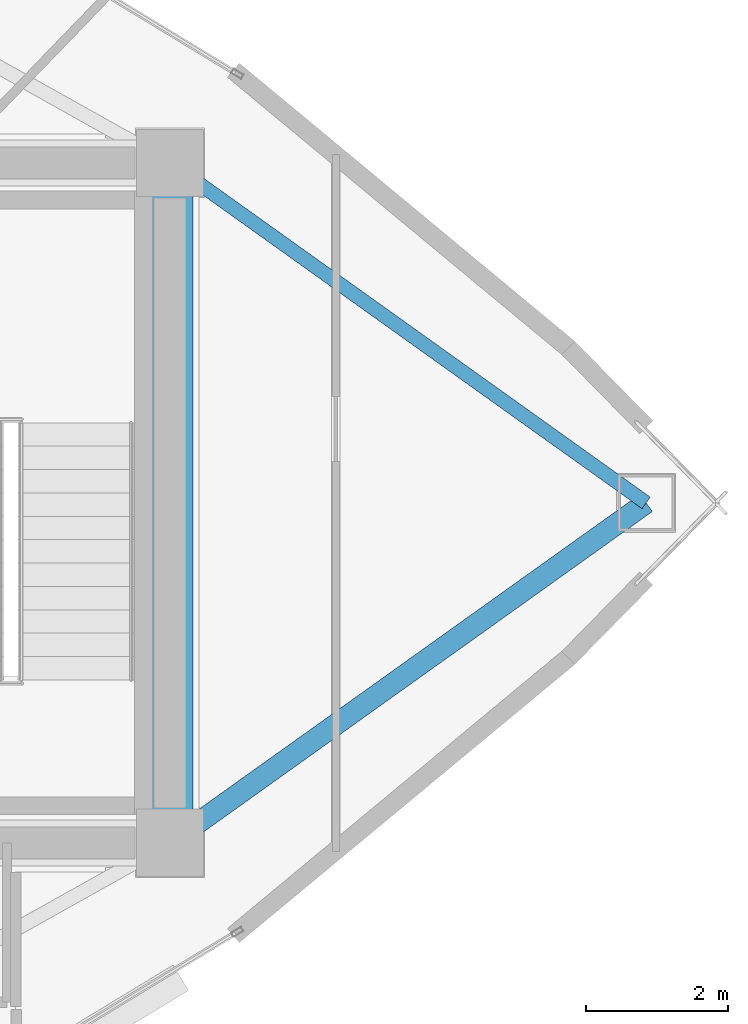
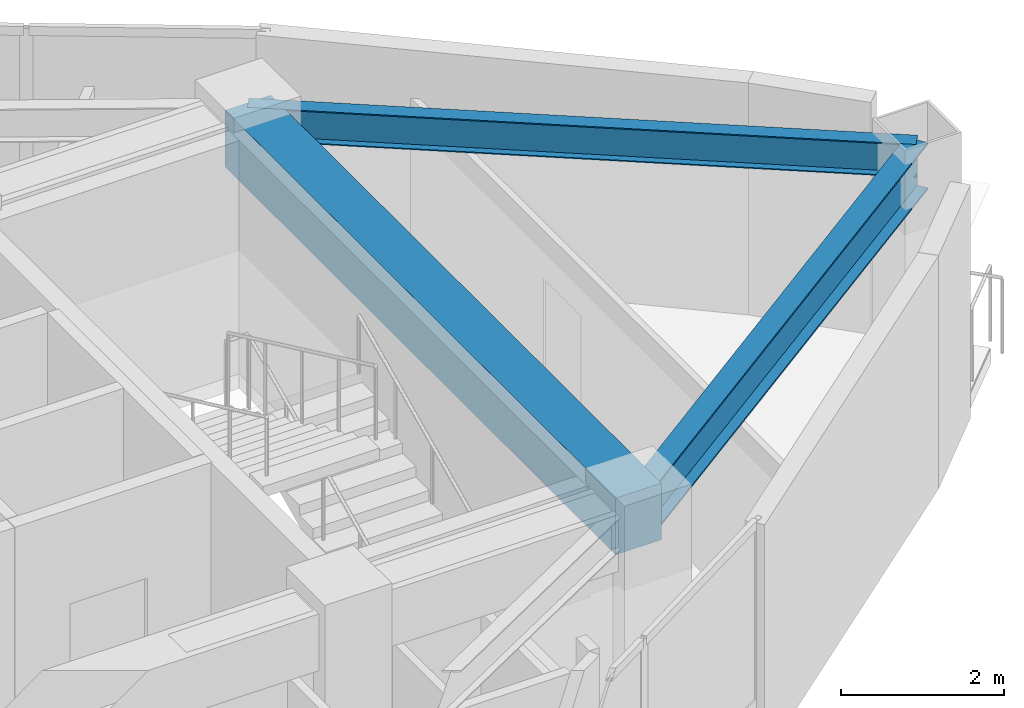
# One storey, part 6 of 15: 3 beams.
"""IFC4 building model written with IfcOpenShell, lengths in metres."""

from ifc_helpers import new_model, si_unit, direction, frame, origin, origin_2d, place, context, subcontext, project, spatial, rectangle, i_section, extrude, material, material_profile, profile_set, type_object, element, save


model = new_model("IFC4")

# Units and contexts
model_context = context("Model", 3, precision=1e-05, world=origin(), true_north=direction((0.0, 1.0)))
body_context = subcontext(model_context, "Body", "Model", "MODEL_VIEW")
ifc_project = project(units=[si_unit("LENGTHUNIT", "METRE"), si_unit("AREAUNIT", "SQUARE_METRE"), si_unit("VOLUMEUNIT", "CUBIC_METRE"), si_unit("PLANEANGLEUNIT", "RADIAN"), si_unit("MASSUNIT", "GRAM", prefix="KILO")], contexts=[model_context])

# Site, building, storey
site_placement = place(None, origin())
site = spatial("IfcSite", under=ifc_project, at=site_placement, CompositionType="ELEMENT")
building_placement = place(site_placement, origin())
building = spatial("IfcBuilding", under=site, at=building_placement, Name="Menara Vayukalpa", CompositionType="ELEMENT")
storey_placement = place(building_placement, frame((0.0, 0.0, 265.739990234375)))
storey = spatial("IfcBuildingStorey", under=building, at=storey_placement, Name="L67", CompositionType="ELEMENT", Elevation=265.739990234375)

# Beams
ifc_material_1 = material(Name="Concrete C60/75", Category="concrete")
ifc_material_profile_1 = material_profile(ifc_material_1, rectangle(XDim=0.64990234375, YDim=0.85009765625, at=origin_2d()), Name="RC 650x850")
ifc_profile_set_1 = profile_set([ifc_material_profile_1], Name="Concrete C60/75")
beam_type_1 = type_object("IfcBeamType", Name="BM-CB1", PredefinedType="BEAM", material=ifc_profile_set_1)
beam_1_placement = place(storey_placement, frame((33.39990234375, 17.199951171875, 3.074951171875), z_axis=(0.0, 1.0, 0.0), x_axis=(-1.0, 0.0, 0.0)))
element("IfcBeam", 1, at=beam_1_placement, inside=storey, type_object=beam_type_1, Name="L67 Core Tie Beam CBR8", PredefinedType="BEAM", context=body_context, shape_type="SweptSolid", body=[
    extrude(rectangle(XDim=0.64990234375, YDim=0.85009765625, at=origin_2d()), origin(), (0.0, 0.0, 1.0), 9.60009765625),
])
ifc_material_2 = material(Name="Steel S355", Category="steel")
ifc_material_profile_2 = material_profile(ifc_material_2, i_section(OverallWidth=0.300048828125, OverallDepth=0.699951171875, WebThickness=0.012939453125, FlangeThickness=0.02392578125, at=origin_2d()), Name="WF 700x300x13x24")
ifc_profile_set_2 = profile_set([ifc_material_profile_2], Name="Steel S355")
beam_type_2 = type_object("IfcBeamType", Name="BM-PG5", PredefinedType="BEAM", material=ifc_profile_set_2)
beam_2_placement = place(storey_placement, frame((33.603515625, 17.34521484375, 3.14990234375), z_axis=(0.813801429135, 0.581143040859, 0.0), x_axis=(-0.581143040859, 0.813801429135, 0.0)))
element("IfcBeam", 2, at=beam_2_placement, inside=storey, type_object=beam_type_2, Name="L67 Primary Radial Girder RG01", PredefinedType="BEAM", context=body_context, shape_type="SweptSolid", body=[
    extrude(i_section(OverallWidth=0.300048828125, OverallDepth=0.699951171875, WebThickness=0.012939453125, FlangeThickness=0.02392578125, at=origin_2d()), origin(), (0.0, 0.0, 1.0), 8.009765625),
])
ifc_material_3 = material(Name="Steel S355", Category="steel")
ifc_material_profile_3 = material_profile(ifc_material_3, i_section(OverallWidth=0.199951171875, OverallDepth=0.5, WebThickness=0.010009765625, FlangeThickness=0.01611328125, at=origin_2d()), Name="WF 500x200x10x16")
ifc_profile_set_3 = profile_set([ifc_material_profile_3], Name="Steel S355")
beam_type_3 = type_object("IfcBeamType", Name="BM-SP3", PredefinedType="SPANDREL", material=ifc_profile_set_3)
beam_3_placement = place(storey_placement, frame((40.121826171875, 22.0, 3.25), z_axis=(-0.813809355401, 0.581131941181, 0.0), x_axis=(-0.581131941181, -0.813809355401, 0.0)))
element("IfcBeam", 3, at=beam_3_placement, inside=storey, type_object=beam_type_3, Name="L67 Perimeter Spandrel Beam SP01", PredefinedType="SPANDREL", context=body_context, shape_type="SweptSolid", body=[
    extrude(i_section(OverallWidth=0.199951171875, OverallDepth=0.5, WebThickness=0.010009765625, FlangeThickness=0.01611328125, at=origin_2d()), origin(), (0.0, 0.0, 1.0), 8.259765625),
])

save(model, "model.ifc")
